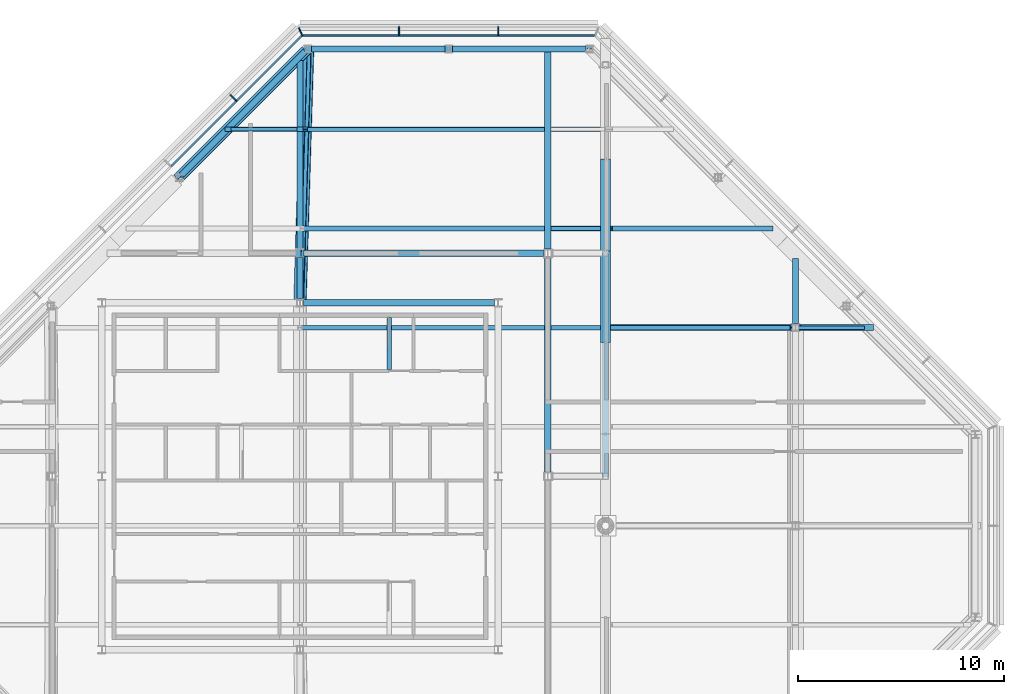
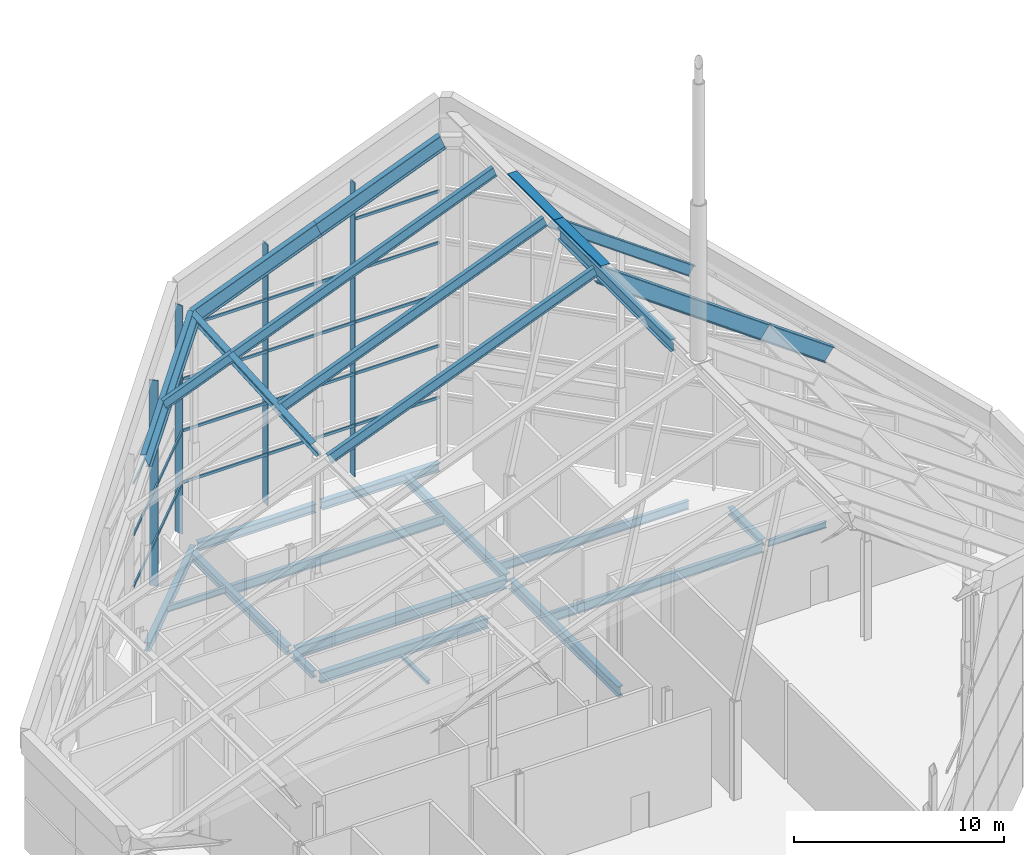
# One storey, part 9 of 21: 28 beams, 25 members, 2 elements without a shape of their own.
"""IFC4 building model written with IfcOpenShell, lengths in metres."""

from ifc_helpers import new_model, si_unit, direction, frame, origin, origin_2d, place, context, subcontext, project, spatial, rectangle, i_section, extrude, material, material_profile, profile_set, type_object, element, aggregate, save


model = new_model("IFC4")

# Units and contexts
model_context = context("Model", 3, precision=1e-05, world=origin(), true_north=direction((0.0, 1.0)))
body_context = subcontext(model_context, "Body", "Model", "MODEL_VIEW")
ifc_project = project(units=[si_unit("LENGTHUNIT", "METRE"), si_unit("AREAUNIT", "SQUARE_METRE"), si_unit("VOLUMEUNIT", "CUBIC_METRE"), si_unit("PLANEANGLEUNIT", "RADIAN"), si_unit("MASSUNIT", "GRAM", prefix="KILO")], contexts=[model_context])

# Site, building, storey
site_placement = place(None, origin())
site = spatial("IfcSite", under=ifc_project, at=site_placement, CompositionType="ELEMENT")
building_placement = place(site_placement, origin())
building = spatial("IfcBuilding", under=site, at=building_placement, Name="Cairn Pilgrim Tower", CompositionType="ELEMENT")
storey_placement = place(building_placement, frame((0.0, 0.0, 295.800048828125)))
storey = spatial("IfcBuildingStorey", under=building, at=storey_placement, Name="L76", CompositionType="ELEMENT", Elevation=295.800048828125)

# Beams
ifc_material_1 = material(Name="Structural steel S355J2", Category="steel")
ifc_material_profile_1 = material_profile(ifc_material_1, i_section(OverallWidth=0.300048828125, OverallDepth=0.699951171875, WebThickness=0.01708984375, FlangeThickness=0.031982421875, FilletRadius=0.027099609375, at=origin_2d()), Name="HEB 700")
ifc_profile_set_1 = profile_set([ifc_material_profile_1], Name="Structural steel S355J2")
beam_type_1 = type_object("IfcBeamType", Name="CROWN GIRDER HE 700 B", PredefinedType="BEAM", material=ifc_profile_set_1)
beam_1_placement = place(storey_placement, frame((22.0, 2.39990234375, 18.770751953125), z_axis=(0.0, 1.0, 0.0), x_axis=(-1.0, 0.0, 0.0)))
element("IfcBeam", 1, at=beam_1_placement, inside=storey, type_object=beam_type_1, Name="CROWN GIRDER CG-HE700B", PredefinedType="BEAM", context=body_context, shape_type="SweptSolid", body=[
    extrude(i_section(OverallWidth=0.300048828125, OverallDepth=0.699951171875, WebThickness=0.01708984375, FlangeThickness=0.031982421875, FilletRadius=0.027099609375, at=origin_2d()), origin(), (0.0, 0.0, 1.0), 10.800048828125),
])
ifc_material_profile_2 = material_profile(ifc_material_1, i_section(OverallWidth=0.219970703125, OverallDepth=0.60009765625, WebThickness=0.011962890625, FlangeThickness=0.01904296875, FilletRadius=0.02392578125, at=origin_2d()), Name="IPE 600")
ifc_profile_set_2 = profile_set([ifc_material_profile_2], Name="Structural steel S355J2")
beam_type_2 = type_object("IfcBeamType", Name="CROWN RAFTER IPE 600", PredefinedType="BEAM", material=ifc_profile_set_2)
beam_2_placement = place(storey_placement, frame((7.199951171875, 9.60009765625, 12.97802734375), z_axis=(0.929417953822, 0.0, 0.369028816101), x_axis=(0.0, 1.0, 0.0)))
element("IfcBeam", 2, at=beam_2_placement, inside=storey, type_object=beam_type_2, Name="CROWN RAFTER CR-IPE600", PredefinedType="BEAM", context=body_context, shape_type="SweptSolid", body=[
    extrude(i_section(OverallWidth=0.219970703125, OverallDepth=0.60009765625, WebThickness=0.011962890625, FlangeThickness=0.01904296875, FilletRadius=0.02392578125, at=origin_2d()), origin(), (0.0, 0.0, 1.0), 15.7626953125),
])
beam_3_placement = place(storey_placement, frame((7.30908203125, 14.39990234375, 13.021240234375), z_axis=(0.929415368756, 0.0, 0.369035326657), x_axis=(0.0, 1.0, 0.0)))
element("IfcBeam", 3, at=beam_3_placement, inside=storey, type_object=beam_type_2, Name="CROWN RAFTER CR-IPE600", PredefinedType="BEAM", context=body_context, shape_type="SweptSolid", body=[
    extrude(i_section(OverallWidth=0.219970703125, OverallDepth=0.60009765625, WebThickness=0.011962890625, FlangeThickness=0.01904296875, FilletRadius=0.02392578125, at=origin_2d()), origin(), (0.0, 0.0, 1.0), 15.645263671875),
])
beam_4_placement = place(storey_placement, frame((3.6728515625, 19.199951171875, 11.577392578125), z_axis=(0.929404812656, 0.0, 0.369061911081), x_axis=(0.0, 1.0, 0.0)))
element("IfcBeam", 4, at=beam_4_placement, inside=storey, type_object=beam_type_2, Name="CROWN RAFTER CR-IPE600", PredefinedType="BEAM", context=body_context, shape_type="SweptSolid", body=[
    extrude(i_section(OverallWidth=0.219970703125, OverallDepth=0.60009765625, WebThickness=0.011962890625, FlangeThickness=0.01904296875, FilletRadius=0.02392578125, at=origin_2d()), origin(), (0.0, 0.0, 1.0), 4.069091796875),
])
beam_5_placement = place(storey_placement, frame((7.45458984375, 19.199951171875, 13.0791015625), z_axis=(0.929417267309, 0.0, 0.369030545116), x_axis=(0.0, 1.0, 0.0)))
element("IfcBeam", 5, at=beam_5_placement, inside=storey, type_object=beam_type_2, Name="CROWN RAFTER CR-IPE600", PredefinedType="BEAM", context=body_context, shape_type="SweptSolid", body=[
    extrude(i_section(OverallWidth=0.219970703125, OverallDepth=0.60009765625, WebThickness=0.011962890625, FlangeThickness=0.01904296875, FilletRadius=0.02392578125, at=origin_2d()), origin(), (0.0, 0.0, 1.0), 15.48876953125),
])
beam_6_placement = place(storey_placement, frame((22.14990234375, 14.39990234375, 18.653564453125), z_axis=(0.812275101397, 0.0, -0.583274514831), x_axis=(0.0, 1.0, 0.0)))
element("IfcBeam", 6, at=beam_6_placement, inside=storey, type_object=beam_type_2, Name="CROWN RAFTER CR-IPE600", PredefinedType="BEAM", context=body_context, shape_type="SweptSolid", body=[
    extrude(i_section(OverallWidth=0.219970703125, OverallDepth=0.60009765625, WebThickness=0.011962890625, FlangeThickness=0.01904296875, FilletRadius=0.02392578125, at=origin_2d()), origin(), (0.0, 0.0, 1.0), 9.57470703125),
])
ifc_material_profile_3 = material_profile(ifc_material_1, i_section(OverallWidth=0.300048828125, OverallDepth=0.89990234375, WebThickness=0.0185546875, FlangeThickness=0.034912109375, FilletRadius=0.030029296875, at=origin_2d()), Name="HEB 900")
ifc_profile_set_3 = profile_set([ifc_material_profile_3], Name="Structural steel S355J2")
beam_type_3 = type_object("IfcBeamType", Name="CROWN TRANSFER GIRDER HE 900 B", PredefinedType="BEAM", material=ifc_profile_set_3)
beam_7_placement = place(storey_placement, frame((21.227294921875, 23.10009765625, 18.38623046875), z_axis=(-0.929413463465, 0.0, -0.369040125096), x_axis=(0.0, -1.0, 0.0)))
element("IfcBeam", 7, at=beam_7_placement, inside=storey, type_object=beam_type_3, Name="CROWN TRANSFER GIRDER CT-HE900B", PredefinedType="BEAM", context=body_context, shape_type="SweptSolid", body=[
    extrude(i_section(OverallWidth=0.300048828125, OverallDepth=0.89990234375, WebThickness=0.0185546875, FlangeThickness=0.034912109375, FilletRadius=0.030029296875, at=origin_2d()), origin(), (0.0, 0.0, 1.0), 7.345947265625),
])
beam_8_placement = place(storey_placement, frame((14.39990234375, 23.10009765625, 15.67529296875), z_axis=(-0.929420336582, 0.0, -0.369022814943), x_axis=(0.0, -1.0, 0.0)))
element("IfcBeam", 8, at=beam_8_placement, inside=storey, type_object=beam_type_3, Name="CROWN TRANSFER GIRDER CT-HE900B", PredefinedType="BEAM", context=body_context, shape_type="SweptSolid", body=[
    extrude(i_section(OverallWidth=0.300048828125, OverallDepth=0.89990234375, WebThickness=0.0185546875, FlangeThickness=0.034912109375, FilletRadius=0.030029296875, at=origin_2d()), origin(), (0.0, 0.0, 1.0), 7.345703125),
])
beam_9_placement = place(storey_placement, frame((7.57275390625, 23.10009765625, 12.964599609375), z_axis=(-0.680783423804, -0.680783423804, -0.270310672648), x_axis=(0.632731116988, -0.73248476426, 0.251231772915)))
element("IfcBeam", 9, at=beam_9_placement, inside=storey, type_object=beam_type_3, Name="CROWN TRANSFER GIRDER CT-HE900B", PredefinedType="BEAM", context=body_context, shape_type="SweptSolid", body=[
    extrude(i_section(OverallWidth=0.300048828125, OverallDepth=0.89990234375, WebThickness=0.0185546875, FlangeThickness=0.034912109375, FilletRadius=0.030029296875, at=origin_2d()), origin(), (0.0, 0.0, 1.0), 9.14306640625),
])
beam_10_placement = place(storey_placement, frame((7.199951171875, 10.800048828125, 12.816650390625), z_axis=(0.03029294382, 0.999468763981, 0.012021954129), x_axis=(-0.928922877829, 0.03259125334, -0.368836138756)))
element("IfcBeam", 10, at=beam_10_placement, inside=storey, type_object=beam_type_3, Name="CROWN TRANSFER GIRDER CT-HE900B", PredefinedType="BEAM", context=body_context, shape_type="SweptSolid", body=[
    extrude(i_section(OverallWidth=0.300048828125, OverallDepth=0.89990234375, WebThickness=0.0185546875, FlangeThickness=0.034912109375, FilletRadius=0.030029296875, at=origin_2d()), origin(), (0.0, 0.0, 1.0), 12.306640625),
])
beam_11_placement = place(storey_placement, frame((22.14990234375, 9.60009765625, 18.468994140625), z_axis=(0.812268098249, 0.0, -0.583284267374), x_axis=(0.0, 1.0, 0.0)))
element("IfcBeam", 11, at=beam_11_placement, inside=storey, type_object=beam_type_3, Name="CROWN TRANSFER GIRDER CT-HE900B", PredefinedType="BEAM", context=body_context, shape_type="SweptSolid", body=[
    extrude(i_section(OverallWidth=0.300048828125, OverallDepth=0.89990234375, WebThickness=0.0185546875, FlangeThickness=0.034912109375, FilletRadius=0.030029296875, at=origin_2d()), origin(), (0.0, 0.0, 1.0), 11.1416015625),
])
beam_12_placement = place(storey_placement, frame((31.199951171875, 9.60009765625, 11.97021484375), z_axis=(0.812268412258, 0.0, -0.583283830093), x_axis=(0.0, 1.0, 0.0)))
element("IfcBeam", 12, at=beam_12_placement, inside=storey, type_object=beam_type_3, Name="CROWN TRANSFER GIRDER CT-HE900B", PredefinedType="BEAM", context=body_context, shape_type="SweptSolid", body=[
    extrude(i_section(OverallWidth=0.300048828125, OverallDepth=0.89990234375, WebThickness=0.0185546875, FlangeThickness=0.034912109375, FilletRadius=0.030029296875, at=origin_2d()), origin(), (0.0, 0.0, 1.0), 4.342529296875),
])

# Curtain wall, members
ifc_material_2 = material(Name="Aluminium alloy 6063-T6 bronze anodised with Bronze tinted laminated low-E glass 8+16+8.8", Category="aluminium")
curtain_wall_type = type_object("IfcCurtainWallType", Name="CROWN LOUVRE CURTAIN WALL", PredefinedType="NOTDEFINED", material=ifc_material_2)
curtain_wall_1_placement = place(storey_placement, origin())
curtain_wall_1 = element("IfcCurtainWall", 13, at=curtain_wall_1_placement, inside=storey, type_object=curtain_wall_type, Name="Crown Louvre Curtain Wall N", PredefinedType="NOTDEFINED")
ifc_material_3 = material(Name="Aluminium alloy 6063-T6 bronze anodised", Category="aluminium")
ifc_material_profile_4 = material_profile(ifc_material_3, rectangle(XDim=0.449951171875, YDim=0.06005859375, at=origin_2d()), Name="FIN MULLION 60x450 BRONZE")
ifc_profile_set_4 = profile_set([ifc_material_profile_4], Name="Aluminium alloy 6063-T6 bronze anodised")
member_type_1 = type_object("IfcMemberType", Name="FIN MULLION 60x450 BRONZE", PredefinedType="MULLION", material=ifc_profile_set_4)
member_1_placement = place(storey_placement, frame((16.800048828125, 23.945068359375, 0.0), z_axis=(0.0, 0.0, 1.0), x_axis=(0.0, 1.0, 0.0)))
member_1 = element("IfcMember", 14, at=member_1_placement, type_object=member_type_1, Name="Fin mullion N2", PredefinedType="MULLION", context=body_context, shape_type="SweptSolid", body=[
    extrude(rectangle(XDim=0.449951171875, YDim=0.06005859375, at=origin_2d()), origin(), (0.0, 0.0, 1.0), 17.1005859375),
])
member_2_placement = place(storey_placement, frame((12.0, 23.945068359375, 0.0), z_axis=(0.0, 0.0, 1.0), x_axis=(0.0, 1.0, 0.0)))
member_2 = element("IfcMember", 15, at=member_2_placement, type_object=member_type_1, Name="Fin mullion N3", PredefinedType="MULLION", context=body_context, shape_type="SweptSolid", body=[
    extrude(rectangle(XDim=0.449951171875, YDim=0.06005859375, at=origin_2d()), origin(), (0.0, 0.0, 1.0), 15.194580078125),
])

curtain_wall_2_placement = place(storey_placement, origin())
curtain_wall_2 = element("IfcCurtainWall", 16, at=curtain_wall_2_placement, inside=storey, type_object=curtain_wall_type, Name="Crown Louvre Curtain Wall NW", PredefinedType="NOTDEFINED")
member_3_placement = place(storey_placement, frame((7.22900390625, 23.93017578125, 0.0), z_axis=(0.0, 0.0, 1.0), x_axis=(-0.382683432365, 0.923879532511, 0.0)))
member_3 = element("IfcMember", 17, at=member_3_placement, type_object=member_type_1, Name="Fin mullion NW1", PredefinedType="MULLION", context=body_context, shape_type="SweptSolid", body=[
    extrude(rectangle(XDim=0.449951171875, YDim=0.06005859375, at=origin_2d()), origin(), (0.0, 0.0, 1.0), 13.26708984375),
])
member_4_placement = place(storey_placement, frame((3.989990234375, 20.71240234375, 0.0), z_axis=(0.0, 0.0, 1.0), x_axis=(-0.707106781187, 0.707106781187, 0.0)))
member_4 = element("IfcMember", 18, at=member_4_placement, type_object=member_type_1, Name="Fin mullion NW2", PredefinedType="MULLION", context=body_context, shape_type="SweptSolid", body=[
    extrude(rectangle(XDim=0.449951171875, YDim=0.06005859375, at=origin_2d()), origin(), (0.0, 0.0, 1.0), 11.95458984375),
])

# Beams
ifc_material_profile_5 = material_profile(ifc_material_1, i_section(OverallWidth=0.300048828125, OverallDepth=0.39990234375, WebThickness=0.013427734375, FlangeThickness=0.02392578125, FilletRadius=0.027099609375, at=origin_2d()), Name="HEB 400")
ifc_profile_set_5 = profile_set([ifc_material_profile_5], Name="Structural steel S355J2")
beam_type_4 = type_object("IfcBeamType", Name="HEB 400 GIRDER", PredefinedType="BEAM", material=ifc_profile_set_5)
beam_13_placement = place(storey_placement, frame((7.199951171875, 10.9990234375, -0.400146484375), z_axis=(0.0, 1.0, 0.0), x_axis=(-1.0, 0.0, 0.0)))
element("IfcBeam", 19, at=beam_13_placement, inside=storey, type_object=beam_type_4, Name="PG3-E2", PredefinedType="BEAM", context=body_context, shape_type="SweptSolid", body=[
    extrude(i_section(OverallWidth=0.300048828125, OverallDepth=0.39990234375, WebThickness=0.013427734375, FlangeThickness=0.02392578125, FilletRadius=0.027099609375, at=origin_2d()), origin(), (0.0, 0.0, 1.0), 2.00390625),
])
beam_14_placement = place(storey_placement, frame((31.199951171875, 9.797119140625, -0.400146484375), z_axis=(0.0, 1.0, 0.0), x_axis=(-1.0, 0.0, 0.0)))
element("IfcBeam", 20, at=beam_14_placement, inside=storey, type_object=beam_type_4, Name="PG5-4", PredefinedType="BEAM", context=body_context, shape_type="SweptSolid", body=[
    extrude(i_section(OverallWidth=0.300048828125, OverallDepth=0.39990234375, WebThickness=0.013427734375, FlangeThickness=0.02392578125, FilletRadius=0.027099609375, at=origin_2d()), origin(), (0.0, 0.0, 1.0), 3.14794921875),
])
ifc_material_profile_6 = material_profile(ifc_material_1, i_section(OverallWidth=0.300048828125, OverallDepth=0.5, WebThickness=0.014404296875, FlangeThickness=0.028076171875, FilletRadius=0.027099609375, at=origin_2d()), Name="HEB 500")
ifc_profile_set_6 = profile_set([ifc_material_profile_6], Name="Structural steel S355J2")
beam_type_5 = type_object("IfcBeamType", Name="HEB 500 GIRDER", PredefinedType="BEAM", material=ifc_profile_set_6)
beam_15_placement = place(storey_placement, frame((7.199951171875, 13.39697265625, -0.449951171875), z_axis=(0.0, 1.0, 0.0), x_axis=(-1.0, 0.0, 0.0)))
element("IfcBeam", 21, at=beam_15_placement, inside=storey, type_object=beam_type_5, Name="PG3-2", PredefinedType="BEAM", context=body_context, shape_type="SweptSolid", body=[
    extrude(i_section(OverallWidth=0.300048828125, OverallDepth=0.5, WebThickness=0.014404296875, FlangeThickness=0.028076171875, FilletRadius=0.027099609375, at=origin_2d()), origin(), (0.0, 0.0, 1.0), 9.148193359375),
])
beam_16_placement = place(storey_placement, frame((19.199951171875, 13.39697265625, -0.449951171875), z_axis=(0.0, 1.0, 0.0), x_axis=(-1.0, 0.0, 0.0)))
element("IfcBeam", 22, at=beam_16_placement, inside=storey, type_object=beam_type_5, Name="PG4-4", PredefinedType="BEAM", context=body_context, shape_type="SweptSolid", body=[
    extrude(i_section(OverallWidth=0.300048828125, OverallDepth=0.5, WebThickness=0.014404296875, FlangeThickness=0.028076171875, FilletRadius=0.027099609375, at=origin_2d()), origin(), (0.0, 0.0, 1.0), 9.5830078125),
])
ifc_material_profile_7 = material_profile(ifc_material_1, i_section(OverallWidth=0.300048828125, OverallDepth=0.5, WebThickness=0.014404296875, FlangeThickness=0.028076171875, FilletRadius=0.027099609375, at=origin_2d()), Name="HEB 500")
ifc_profile_set_7 = profile_set([ifc_material_profile_7], Name="Structural steel S355J2")
beam_type_6 = type_object("IfcBeamType", Name="HEB 500 RING GIRDER", PredefinedType="SPANDREL", material=ifc_profile_set_7)
for number, where, z_axis, x_axis, name in (
    (23, (21.05126953125, 23.10009765625, -0.449951171875), (-1.0, 0.0, 0.0), (0.0, -1.0, 0.0), "RG4-N1-N2"),
    (24, (14.22412109375, 23.10009765625, -0.449951171875), (-1.0, 0.0, 0.0), (0.0, -1.0, 0.0), "RG4-N2-NW1"),
):
    element("IfcBeam", number, at=place(storey_placement, frame(where, z_axis=z_axis, x_axis=x_axis)), inside=storey, type_object=beam_type_6, Name=name, PredefinedType="SPANDREL", context=body_context, shape_type="SweptSolid", body=[
        extrude(i_section(OverallWidth=0.300048828125, OverallDepth=0.5, WebThickness=0.014404296875, FlangeThickness=0.028076171875, FilletRadius=0.027099609375, at=origin_2d()), origin(), (0.0, 0.0, 1.0), 6.475341796875),
    ])
beam_17_placement = place(storey_placement, frame((7.448486328125, 22.9755859375, -0.449951171875), z_axis=(-0.707121226235, -0.707092335843, 0.0), x_axis=(0.707092335843, -0.707121226235, 0.0)))
element("IfcBeam", 25, at=beam_17_placement, inside=storey, type_object=beam_type_6, Name="RG4-NW1-NW2", PredefinedType="SPANDREL", context=body_context, shape_type="SweptSolid", body=[
    extrude(i_section(OverallWidth=0.300048828125, OverallDepth=0.5, WebThickness=0.014404296875, FlangeThickness=0.028076171875, FilletRadius=0.027099609375, at=origin_2d()), origin(), (0.0, 0.0, 1.0), 8.45068359375),
])
ifc_material_profile_8 = material_profile(ifc_material_1, i_section(OverallWidth=0.300048828125, OverallDepth=0.60009765625, WebThickness=0.015380859375, FlangeThickness=0.030029296875, FilletRadius=0.027099609375, at=origin_2d()), Name="HEB 600")
ifc_profile_set_8 = profile_set([ifc_material_profile_8], Name="Structural steel S355J2")
beam_type_7 = type_object("IfcBeamType", Name="HEB 600 CORE BEAM", PredefinedType="BEAM", material=ifc_profile_set_8)
beam_18_placement = place(storey_placement, frame((16.620849609375, 10.800048828125, -0.5), z_axis=(-1.0, 0.0, 0.0), x_axis=(0.0, -1.0, 0.0)))
element("IfcBeam", 26, at=beam_18_placement, inside=storey, type_object=beam_type_7, Name="CB-5", PredefinedType="BEAM", context=body_context, shape_type="SweptSolid", body=[
    extrude(i_section(OverallWidth=0.300048828125, OverallDepth=0.60009765625, WebThickness=0.015380859375, FlangeThickness=0.030029296875, FilletRadius=0.027099609375, at=origin_2d()), origin(), (0.0, 0.0, 1.0), 9.24169921875),
])
ifc_material_profile_9 = material_profile(ifc_material_1, i_section(OverallWidth=0.300048828125, OverallDepth=0.60009765625, WebThickness=0.015380859375, FlangeThickness=0.030029296875, FilletRadius=0.027099609375, at=origin_2d()), Name="HEB 600")
ifc_profile_set_9 = profile_set([ifc_material_profile_9], Name="Structural steel S355J2")
beam_type_8 = type_object("IfcBeamType", Name="HEB 600 GIRDER", PredefinedType="BEAM", material=ifc_profile_set_9)
beam_19_placement = place(storey_placement, frame((19.199951171875, 2.596923828125, -0.5), z_axis=(0.0, 1.0, 0.0), x_axis=(-1.0, 0.0, 0.0)))
element("IfcBeam", 27, at=beam_19_placement, inside=storey, type_object=beam_type_8, Name="PG4-3", PredefinedType="BEAM", context=body_context, shape_type="SweptSolid", body=[
    extrude(i_section(OverallWidth=0.300048828125, OverallDepth=0.60009765625, WebThickness=0.015380859375, FlangeThickness=0.030029296875, FilletRadius=0.027099609375, at=origin_2d()), origin(), (0.0, 0.0, 1.0), 10.406005859375),
])
ifc_material_profile_10 = material_profile(ifc_material_1, i_section(OverallWidth=0.300048828125, OverallDepth=0.60009765625, WebThickness=0.015380859375, FlangeThickness=0.030029296875, FilletRadius=0.027099609375, at=origin_2d()), Name="HEB 600")
ifc_profile_set_10 = profile_set([ifc_material_profile_10], Name="Structural steel S355J2")
beam_type_9 = type_object("IfcBeamType", Name="HEB 600 INNER GIRDER", PredefinedType="BEAM", material=ifc_profile_set_10)
beam_20_placement = place(storey_placement, frame((7.39697265625, 13.199951171875, -0.5), z_axis=(1.0, 0.0, 0.0), x_axis=(0.0, 1.0, 0.0)))
element("IfcBeam", 28, at=beam_20_placement, inside=storey, type_object=beam_type_9, Name="IG2-2", PredefinedType="BEAM", context=body_context, shape_type="SweptSolid", body=[
    extrude(i_section(OverallWidth=0.300048828125, OverallDepth=0.60009765625, WebThickness=0.015380859375, FlangeThickness=0.030029296875, FilletRadius=0.027099609375, at=origin_2d()), origin(), (0.0, 0.0, 1.0), 11.60595703125),
])
ifc_material_profile_11 = material_profile(ifc_material_1, i_section(OverallWidth=0.169921875, OverallDepth=0.360107421875, WebThickness=0.008056640625, FlangeThickness=0.0126953125, FilletRadius=0.01806640625, at=origin_2d()), Name="IPE 360")
ifc_profile_set_11 = profile_set([ifc_material_profile_11], Name="Structural steel S355J2")
beam_type_10 = type_object("IfcBeamType", Name="IPE 360 SECONDARY BEAM", PredefinedType="JOIST", material=ifc_profile_set_11)
for number, where, z_axis, x_axis, name in (
    (29, (31.35009765625, 9.60009765625, -0.380126953125), (1.0, 0.0, 0.0), (0.0, 1.0, 0.0), "SB7-2"),
    (30, (3.85498046875, 19.199951171875, -0.380126953125), (1.0, 0.0, 0.0), (0.0, 1.0, 0.0), "SB9-1"),
):
    element("IfcBeam", number, at=place(storey_placement, frame(where, z_axis=z_axis, x_axis=x_axis)), inside=storey, type_object=beam_type_10, Name=name, PredefinedType="JOIST", context=body_context, shape_type="SweptSolid", body=[
        extrude(i_section(OverallWidth=0.169921875, OverallDepth=0.360107421875, WebThickness=0.008056640625, FlangeThickness=0.0126953125, FilletRadius=0.01806640625, at=origin_2d()), origin(), (0.0, 0.0, 1.0), 3.195068359375),
    ])
ifc_material_profile_12 = material_profile(ifc_material_1, i_section(OverallWidth=0.199951171875, OverallDepth=0.5, WebThickness=0.01025390625, FlangeThickness=0.01611328125, FilletRadius=0.02099609375, at=origin_2d()), Name="IPE 500")
ifc_profile_set_12 = profile_set([ifc_material_profile_12], Name="Structural steel S355J2")
beam_type_11 = type_object("IfcBeamType", Name="IPE 500 SECONDARY BEAM", PredefinedType="JOIST", material=ifc_profile_set_12)
beam_21_placement = place(storey_placement, frame((19.35009765625, 14.39990234375, -0.449951171875), z_axis=(1.0, 0.0, 0.0), x_axis=(0.0, 1.0, 0.0)))
element("IfcBeam", 31, at=beam_21_placement, inside=storey, type_object=beam_type_11, Name="SB8-1", PredefinedType="JOIST", context=body_context, shape_type="SweptSolid", body=[
    extrude(i_section(OverallWidth=0.199951171875, OverallDepth=0.5, WebThickness=0.01025390625, FlangeThickness=0.01611328125, FilletRadius=0.02099609375, at=origin_2d()), origin(), (0.0, 0.0, 1.0), 10.39501953125),
])
ifc_material_profile_13 = material_profile(ifc_material_1, i_section(OverallWidth=0.2099609375, OverallDepth=0.550048828125, WebThickness=0.010986328125, FlangeThickness=0.01708984375, FilletRadius=0.02392578125, at=origin_2d()), Name="IPE 550")
ifc_profile_set_13 = profile_set([ifc_material_profile_13], Name="Structural steel S355J2")
beam_type_12 = type_object("IfcBeamType", Name="IPE 550 SECONDARY BEAM", PredefinedType="JOIST", material=ifc_profile_set_13)
for number, where, z_axis, x_axis, name in (
    (32, (19.35009765625, 9.60009765625, -0.47509765625), (1.0, 0.0, 0.0), (0.0, 1.0, 0.0), "SB7-1"),
    (33, (7.35009765625, 19.199951171875, -0.47509765625), (1.0, 0.0, 0.0), (0.0, 1.0, 0.0), "SB9-2"),
):
    element("IfcBeam", number, at=place(storey_placement, frame(where, z_axis=z_axis, x_axis=x_axis)), inside=storey, type_object=beam_type_12, Name=name, PredefinedType="JOIST", context=body_context, shape_type="SweptSolid", body=[
        extrude(i_section(OverallWidth=0.2099609375, OverallDepth=0.550048828125, WebThickness=0.010986328125, FlangeThickness=0.01708984375, FilletRadius=0.02392578125, at=origin_2d()), origin(), (0.0, 0.0, 1.0), 11.699951171875),
    ])

# Members
ifc_material_profile_14 = material_profile(ifc_material_3, rectangle(XDim=0.5, YDim=0.080078125, at=origin_2d()), Name="RIDGE CAP 500x80 BRONZE")
ifc_profile_set_14 = profile_set([ifc_material_profile_14], Name="Aluminium alloy 6063-T6 bronze anodised")
member_type_2 = type_object("IfcMemberType", Name="RIDGE CAP 500x80 BRONZE", PredefinedType="USERDEFINED", material=ifc_profile_set_14)
for number, where, z_axis, x_axis, name in (
    (34, (22.0, 8.87890625, 19.48046875), (0.0, 1.0, 0.0), (-1.0, 0.0, 0.0), "Ridge cap 9"),
    (35, (22.0, 13.318359375, 19.48046875), (0.0, 1.0, 0.0), (-1.0, 0.0, 0.0), "Ridge cap 10"),
):
    element("IfcMember", number, at=place(storey_placement, frame(where, z_axis=z_axis, x_axis=x_axis)), inside=storey, type_object=member_type_2, Name=name, ObjectType="RIDGE CAP", PredefinedType="USERDEFINED", context=body_context, shape_type="SweptSolid", body=[
        extrude(rectangle(XDim=0.5, YDim=0.080078125, at=origin_2d()), origin(), (0.0, 0.0, 1.0), 4.439453125),
    ])

# Beam
ifc_material_profile_15 = material_profile(ifc_material_1, i_section(OverallWidth=0.199951171875, OverallDepth=0.199951171875, WebThickness=0.009033203125, FlangeThickness=0.014892578125, FilletRadius=0.01806640625, at=origin_2d()), Name="HE 200 B")
ifc_profile_set_15 = profile_set([ifc_material_profile_15], Name="Structural steel S355J2")
beam_type_13 = type_object("IfcBeamType", Name="STAIR LANDING BEAM HE 200 B", PredefinedType="BEAM", material=ifc_profile_set_15)
beam_22_placement = place(storey_placement, frame((11.5244140625, 10.10009765625, -0.300048828125), z_axis=(0.0, -1.0, 0.0), x_axis=(1.0, 0.0, 0.0)))
element("IfcBeam", 36, at=beam_22_placement, inside=storey, type_object=beam_type_13, Name="STAIR LANDING BEAM LD-HE200B", PredefinedType="BEAM", context=body_context, shape_type="SweptSolid", body=[
    extrude(i_section(OverallWidth=0.199951171875, OverallDepth=0.199951171875, WebThickness=0.009033203125, FlangeThickness=0.014892578125, FilletRadius=0.01806640625, at=origin_2d()), origin(), (0.0, 0.0, 1.0), 2.525146484375),
])

# Member
ifc_material_profile_16 = material_profile(ifc_material_3, rectangle(XDim=0.080078125, YDim=0.14990234375, at=origin_2d()), Name="TRANSOM 80x150 BRONZE")
ifc_profile_set_16 = profile_set([ifc_material_profile_16], Name="Aluminium alloy 6063-T6 bronze anodised")
member_type_3 = type_object("IfcMemberType", Name="TRANSOM 80x150 BRONZE", PredefinedType="USERDEFINED", material=ifc_profile_set_16)
member_5_placement = place(storey_placement, frame((21.45654296875, 23.75, 3.0), z_axis=(-1.0, 0.0, 0.0), x_axis=(0.0, -1.0, 0.0)))
member_5 = element("IfcMember", 37, at=member_5_placement, type_object=member_type_3, Name="Transom N1", ObjectType="TRANSOM", PredefinedType="USERDEFINED", context=body_context, shape_type="SweptSolid", body=[
    extrude(rectangle(XDim=0.080078125, YDim=0.14990234375, at=origin_2d()), origin(), (0.0, 0.0, 1.0), 4.62646484375),
])

member_6_placement = place(storey_placement, frame((21.45654296875, 23.75, 6.0), z_axis=(-1.0, 0.0, 0.0), x_axis=(0.0, -1.0, 0.0)))
member_6 = element("IfcMember", 38, at=member_6_placement, type_object=member_type_3, Name="Transom N1", ObjectType="TRANSOM", PredefinedType="USERDEFINED", context=body_context, shape_type="SweptSolid", body=[
    extrude(rectangle(XDim=0.080078125, YDim=0.14990234375, at=origin_2d()), origin(), (0.0, 0.0, 1.0), 4.62646484375),
])

member_7_placement = place(storey_placement, frame((21.45654296875, 23.75, 9.0), z_axis=(-1.0, 0.0, 0.0), x_axis=(0.0, -1.0, 0.0)))
member_7 = element("IfcMember", 39, at=member_7_placement, type_object=member_type_3, Name="Transom N1", ObjectType="TRANSOM", PredefinedType="USERDEFINED", context=body_context, shape_type="SweptSolid", body=[
    extrude(rectangle(XDim=0.080078125, YDim=0.14990234375, at=origin_2d()), origin(), (0.0, 0.0, 1.0), 4.62646484375),
])

member_8_placement = place(storey_placement, frame((21.45654296875, 23.75, 12.0), z_axis=(-1.0, 0.0, 0.0), x_axis=(0.0, -1.0, 0.0)))
member_8 = element("IfcMember", 40, at=member_8_placement, type_object=member_type_3, Name="Transom N1", ObjectType="TRANSOM", PredefinedType="USERDEFINED", context=body_context, shape_type="SweptSolid", body=[
    extrude(rectangle(XDim=0.080078125, YDim=0.14990234375, at=origin_2d()), origin(), (0.0, 0.0, 1.0), 4.62646484375),
])

member_9_placement = place(storey_placement, frame((21.45654296875, 23.75, 15.0), z_axis=(-1.0, 0.0, 0.0), x_axis=(0.0, -1.0, 0.0)))
member_9 = element("IfcMember", 41, at=member_9_placement, type_object=member_type_3, Name="Transom N1", ObjectType="TRANSOM", PredefinedType="USERDEFINED", context=body_context, shape_type="SweptSolid", body=[
    extrude(rectangle(XDim=0.080078125, YDim=0.14990234375, at=origin_2d()), origin(), (0.0, 0.0, 1.0), 4.62646484375),
])

member_10_placement = place(storey_placement, frame((16.77001953125, 23.75, 3.0), z_axis=(-1.0, 0.0, 0.0), x_axis=(0.0, -1.0, 0.0)))
member_10 = element("IfcMember", 42, at=member_10_placement, type_object=member_type_3, Name="Transom N2", ObjectType="TRANSOM", PredefinedType="USERDEFINED", context=body_context, shape_type="SweptSolid", body=[
    extrude(rectangle(XDim=0.080078125, YDim=0.14990234375, at=origin_2d()), origin(), (0.0, 0.0, 1.0), 4.739990234375),
])

member_11_placement = place(storey_placement, frame((16.77001953125, 23.75, 6.0), z_axis=(-1.0, 0.0, 0.0), x_axis=(0.0, -1.0, 0.0)))
member_11 = element("IfcMember", 43, at=member_11_placement, type_object=member_type_3, Name="Transom N2", ObjectType="TRANSOM", PredefinedType="USERDEFINED", context=body_context, shape_type="SweptSolid", body=[
    extrude(rectangle(XDim=0.080078125, YDim=0.14990234375, at=origin_2d()), origin(), (0.0, 0.0, 1.0), 4.739990234375),
])

member_12_placement = place(storey_placement, frame((16.77001953125, 23.75, 9.0), z_axis=(-1.0, 0.0, 0.0), x_axis=(0.0, -1.0, 0.0)))
member_12 = element("IfcMember", 44, at=member_12_placement, type_object=member_type_3, Name="Transom N2", ObjectType="TRANSOM", PredefinedType="USERDEFINED", context=body_context, shape_type="SweptSolid", body=[
    extrude(rectangle(XDim=0.080078125, YDim=0.14990234375, at=origin_2d()), origin(), (0.0, 0.0, 1.0), 4.739990234375),
])

member_13_placement = place(storey_placement, frame((16.77001953125, 23.75, 12.0), z_axis=(-1.0, 0.0, 0.0), x_axis=(0.0, -1.0, 0.0)))
member_13 = element("IfcMember", 45, at=member_13_placement, type_object=member_type_3, Name="Transom N2", ObjectType="TRANSOM", PredefinedType="USERDEFINED", context=body_context, shape_type="SweptSolid", body=[
    extrude(rectangle(XDim=0.080078125, YDim=0.14990234375, at=origin_2d()), origin(), (0.0, 0.0, 1.0), 4.739990234375),
])

member_14_placement = place(storey_placement, frame((11.969970703125, 23.75, 3.0), z_axis=(-1.0, 0.0, 0.0), x_axis=(0.0, -1.0, 0.0)))
member_14 = element("IfcMember", 46, at=member_14_placement, type_object=member_type_3, Name="Transom N3", ObjectType="TRANSOM", PredefinedType="USERDEFINED", context=body_context, shape_type="SweptSolid", body=[
    extrude(rectangle(XDim=0.080078125, YDim=0.14990234375, at=origin_2d()), origin(), (0.0, 0.0, 1.0), 4.62646484375),
])

member_15_placement = place(storey_placement, frame((11.969970703125, 23.75, 6.0), z_axis=(-1.0, 0.0, 0.0), x_axis=(0.0, -1.0, 0.0)))
member_15 = element("IfcMember", 47, at=member_15_placement, type_object=member_type_3, Name="Transom N3", ObjectType="TRANSOM", PredefinedType="USERDEFINED", context=body_context, shape_type="SweptSolid", body=[
    extrude(rectangle(XDim=0.080078125, YDim=0.14990234375, at=origin_2d()), origin(), (0.0, 0.0, 1.0), 4.62646484375),
])

member_16_placement = place(storey_placement, frame((11.969970703125, 23.75, 9.0), z_axis=(-1.0, 0.0, 0.0), x_axis=(0.0, -1.0, 0.0)))
member_16 = element("IfcMember", 48, at=member_16_placement, type_object=member_type_3, Name="Transom N3", ObjectType="TRANSOM", PredefinedType="USERDEFINED", context=body_context, shape_type="SweptSolid", body=[
    extrude(rectangle(XDim=0.080078125, YDim=0.14990234375, at=origin_2d()), origin(), (0.0, 0.0, 1.0), 4.62646484375),
])

member_17_placement = place(storey_placement, frame((11.969970703125, 23.75, 12.0), z_axis=(-1.0, 0.0, 0.0), x_axis=(0.0, -1.0, 0.0)))
member_17 = element("IfcMember", 49, at=member_17_placement, type_object=member_type_3, Name="Transom N3", ObjectType="TRANSOM", PredefinedType="USERDEFINED", context=body_context, shape_type="SweptSolid", body=[
    extrude(rectangle(XDim=0.080078125, YDim=0.14990234375, at=origin_2d()), origin(), (0.0, 0.0, 1.0), 4.62646484375),
])

aggregate(curtain_wall_1, [member_1, member_2, member_5, member_6, member_7, member_8, member_9, member_10, member_11, member_12, member_13, member_14, member_15, member_16, member_17])

member_18_placement = place(storey_placement, frame((7.275390625, 23.7216796875, 3.0), z_axis=(-0.707134392299, -0.707079168996, 0.0), x_axis=(0.707079168996, -0.707134392299, 0.0)))
member_18 = element("IfcMember", 50, at=member_18_placement, type_object=member_type_3, Name="Transom NW1", ObjectType="TRANSOM", PredefinedType="USERDEFINED", context=body_context, shape_type="SweptSolid", body=[
    extrude(rectangle(XDim=0.080078125, YDim=0.14990234375, at=origin_2d()), origin(), (0.0, 0.0, 1.0), 4.4208984375),
])

member_19_placement = place(storey_placement, frame((7.275390625, 23.7216796875, 6.0), z_axis=(-0.707134392299, -0.707079168996, 0.0), x_axis=(0.707079168996, -0.707134392299, 0.0)))
member_19 = element("IfcMember", 51, at=member_19_placement, type_object=member_type_3, Name="Transom NW1", ObjectType="TRANSOM", PredefinedType="USERDEFINED", context=body_context, shape_type="SweptSolid", body=[
    extrude(rectangle(XDim=0.080078125, YDim=0.14990234375, at=origin_2d()), origin(), (0.0, 0.0, 1.0), 4.4208984375),
])

member_20_placement = place(storey_placement, frame((7.275390625, 23.7216796875, 9.0), z_axis=(-0.707134392299, -0.707079168996, 0.0), x_axis=(0.707079168996, -0.707134392299, 0.0)))
member_20 = element("IfcMember", 52, at=member_20_placement, type_object=member_type_3, Name="Transom NW1", ObjectType="TRANSOM", PredefinedType="USERDEFINED", context=body_context, shape_type="SweptSolid", body=[
    extrude(rectangle(XDim=0.080078125, YDim=0.14990234375, at=origin_2d()), origin(), (0.0, 0.0, 1.0), 4.4208984375),
])

member_21_placement = place(storey_placement, frame((4.106689453125, 20.55322265625, 3.0), z_axis=(-0.707079231393, -0.707134329907, 0.0), x_axis=(0.707134329907, -0.707079231393, 0.0)))
member_21 = element("IfcMember", 53, at=member_21_placement, type_object=member_type_3, Name="Transom NW2", ObjectType="TRANSOM", PredefinedType="USERDEFINED", context=body_context, shape_type="SweptSolid", body=[
    extrude(rectangle(XDim=0.080078125, YDim=0.14990234375, at=origin_2d()), origin(), (0.0, 0.0, 1.0), 4.430908203125),
])

member_22_placement = place(storey_placement, frame((4.106689453125, 20.55322265625, 6.0), z_axis=(-0.707079231393, -0.707134329907, 0.0), x_axis=(0.707134329907, -0.707079231393, 0.0)))
member_22 = element("IfcMember", 54, at=member_22_placement, type_object=member_type_3, Name="Transom NW2", ObjectType="TRANSOM", PredefinedType="USERDEFINED", context=body_context, shape_type="SweptSolid", body=[
    extrude(rectangle(XDim=0.080078125, YDim=0.14990234375, at=origin_2d()), origin(), (0.0, 0.0, 1.0), 4.430908203125),
])

member_23_placement = place(storey_placement, frame((4.106689453125, 20.55322265625, 9.0), z_axis=(-0.707079231393, -0.707134329907, 0.0), x_axis=(0.707134329907, -0.707079231393, 0.0)))
member_23 = element("IfcMember", 55, at=member_23_placement, type_object=member_type_3, Name="Transom NW2", ObjectType="TRANSOM", PredefinedType="USERDEFINED", context=body_context, shape_type="SweptSolid", body=[
    extrude(rectangle(XDim=0.080078125, YDim=0.14990234375, at=origin_2d()), origin(), (0.0, 0.0, 1.0), 4.430908203125),
])

aggregate(curtain_wall_2, [member_3, member_4, member_18, member_19, member_20, member_21, member_22, member_23])

save(model, "model.ifc")
